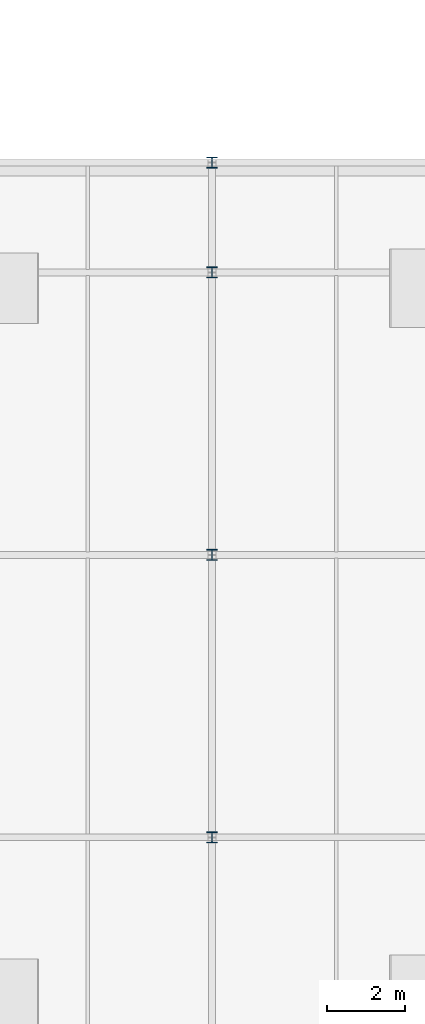
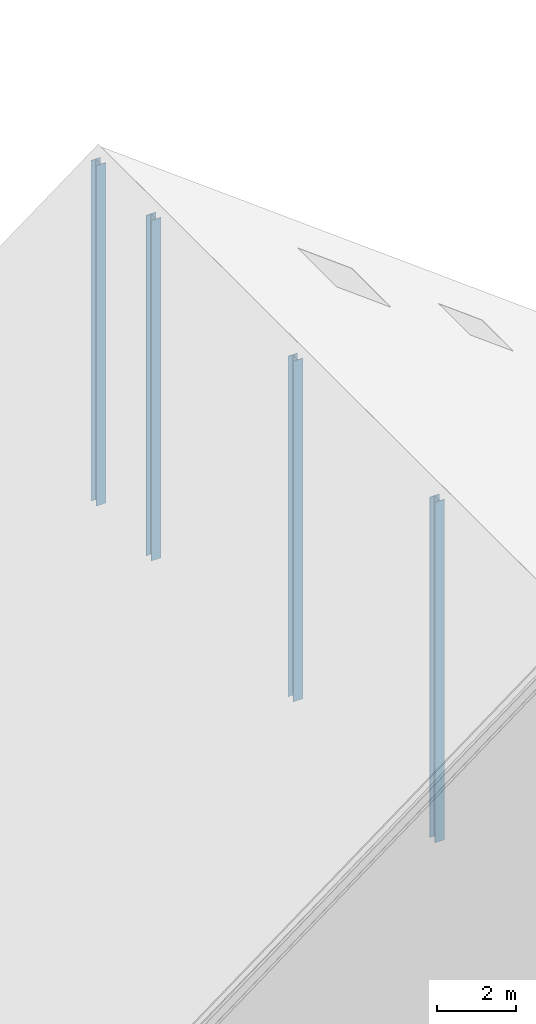
# One storey, part 5 of 35: 4 columns.
"""IFC4 building model written with IfcOpenShell, lengths in metres."""

from ifc_helpers import new_model, si_unit, direction, frame, origin, origin_2d, place, context, subcontext, project, spatial, i_section, extrude, material, material_profile, profile_set, type_object, element, save


model = new_model("IFC4")

# Units and contexts
model_context = context("Model", 3, precision=1e-05, world=origin(), true_north=direction((0.0, 1.0)))
body_context = subcontext(model_context, "Body", "Model", "MODEL_VIEW")
ifc_project = project(units=[si_unit("LENGTHUNIT", "METRE"), si_unit("AREAUNIT", "SQUARE_METRE"), si_unit("VOLUMEUNIT", "CUBIC_METRE"), si_unit("PLANEANGLEUNIT", "RADIAN"), si_unit("MASSUNIT", "GRAM", prefix="KILO")], contexts=[model_context])

# Site, building, storey
site_placement = place(None, origin())
site = spatial("IfcSite", under=ifc_project, at=site_placement, CompositionType="ELEMENT")
building_placement = place(site_placement, origin())
building = spatial("IfcBuilding", under=site, at=building_placement, Name="Zarrinpeak Specialist Clinic", CompositionType="ELEMENT")
storey_placement = place(building_placement, frame((0.0, 0.0, 31.60009765625)))
storey = spatial("IfcBuildingStorey", under=building, at=storey_placement, Name="RF", CompositionType="ELEMENT", Elevation=31.60009765625)

# Columns
ifc_material = material(Name="Steel S355", Category="steel")
ifc_material_profile = material_profile(ifc_material, i_section(OverallWidth=0.280029296875, OverallDepth=0.280029296875, WebThickness=0.010498046875, FlangeThickness=0.01806640625, FilletRadius=0.02392578125, at=origin_2d()), Name="HEB 280")
ifc_profile_set = profile_set([ifc_material_profile], Name="Steel S355")
column_type = type_object("IfcColumnType", Name="COL-HEB280", PredefinedType="COLUMN", material=ifc_profile_set)
for number, where, z_axis, x_axis, name in (
    (1, (14.39990234375, 64.800048828125, -13.2001953125), (0.0, 0.0, 1.0), (1.0, 0.0, 0.0), "RF Gable Ridge Column V5 Y=64.8"),
    (2, (14.39990234375, 72.0, -13.2001953125), (0.0, 0.0, 1.0), (1.0, 0.0, 0.0), "RF Gable Ridge Column V5 Y=72.0"),
    (3, (14.39990234375, 79.199951171875, -13.2001953125), (0.0, 0.0, 1.0), (1.0, 0.0, 0.0), "RF Gable Ridge Column V5 Y=79.2"),
    (4, (14.39990234375, 82.0, -13.2001953125), (0.0, 0.0, 1.0), (1.0, 0.0, 0.0), "RF Gable Ridge Column V5 Y=82.0"),
):
    element("IfcColumn", number, at=place(storey_placement, frame(where, z_axis=z_axis, x_axis=x_axis)), inside=storey, type_object=column_type, Name=name, PredefinedType="COLUMN", context=body_context, shape_type="SweptSolid", body=[
        extrude(i_section(OverallWidth=0.280029296875, OverallDepth=0.280029296875, WebThickness=0.010498046875, FlangeThickness=0.01806640625, FilletRadius=0.02392578125, at=origin_2d()), origin(), (0.0, 0.0, 1.0), 10.550048828125),
    ])

save(model, "model.ifc")
